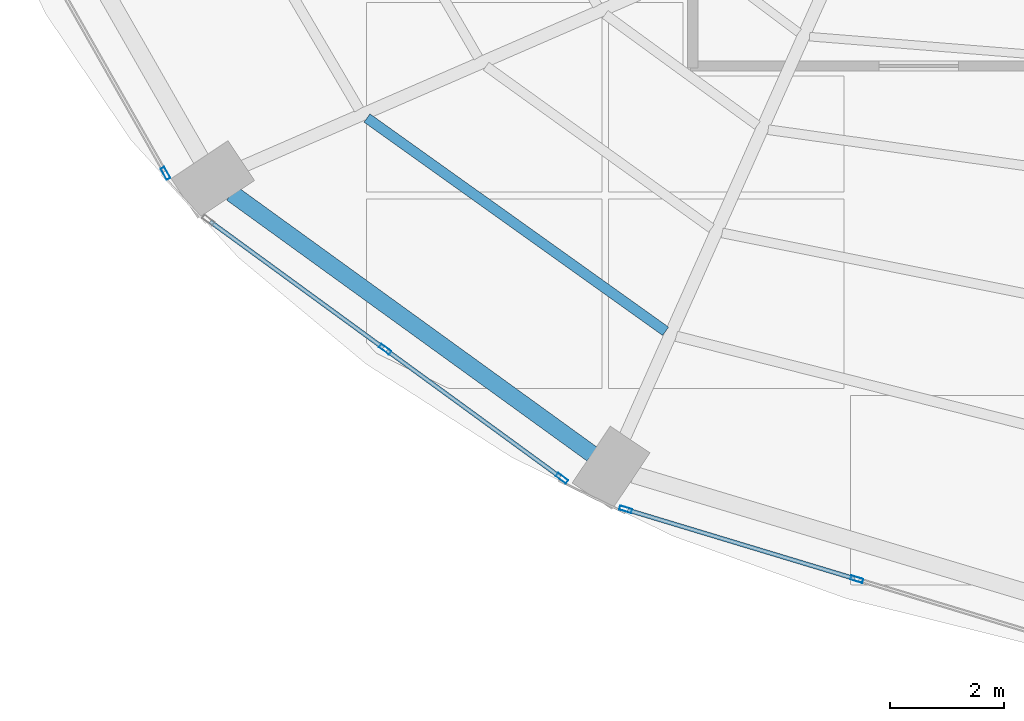
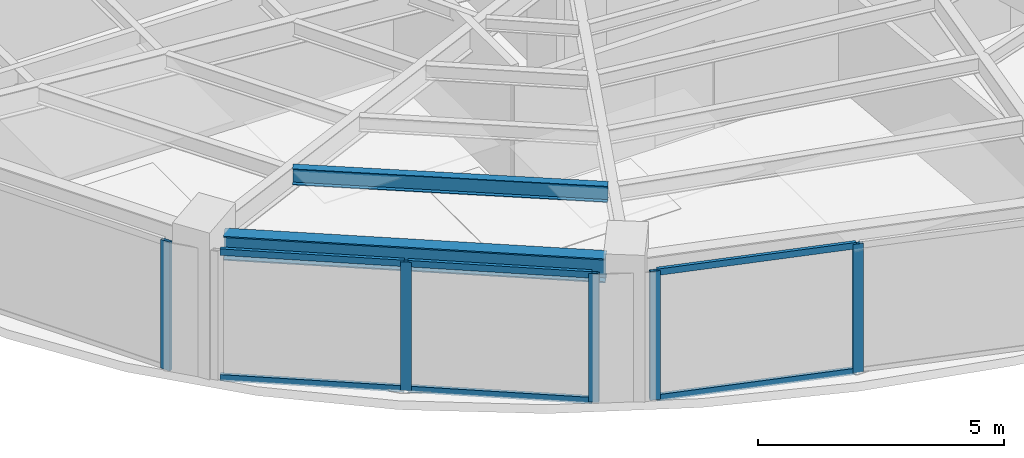
# One storey, part 2 of 24: 11 members, 2 beams, 3 elements without a shape of their own.
"""IFC4 building model written with IfcOpenShell, lengths in metres."""

from ifc_helpers import new_model, si_unit, direction, frame, origin, origin_2d, place, context, subcontext, project, spatial, hollow_rectangle, i_section, extrude, material, layer, layer_set, material_profile, profile_set, type_object, element, aggregate, save


model = new_model("IFC4")

# Units and contexts
model_context = context("Model", 3, precision=1e-05, world=origin(), true_north=direction((0.0, 1.0)))
body_context = subcontext(model_context, "Body", "Model", "MODEL_VIEW")
ifc_project = project(units=[si_unit("LENGTHUNIT", "METRE"), si_unit("AREAUNIT", "SQUARE_METRE"), si_unit("VOLUMEUNIT", "CUBIC_METRE"), si_unit("PLANEANGLEUNIT", "RADIAN"), si_unit("MASSUNIT", "GRAM", prefix="KILO")], contexts=[model_context])

# Site, building, storey
site_placement = place(None, origin())
site = spatial("IfcSite", under=ifc_project, at=site_placement, CompositionType="ELEMENT")
building_placement = place(site_placement, origin())
building = spatial("IfcBuilding", under=site, at=building_placement, Name="Lazwardi Medical Tower", CompositionType="ELEMENT")
storey_placement = place(building_placement, frame((0.0, 0.0, 129.16796875)))
storey = spatial("IfcBuildingStorey", under=building, at=storey_placement, Name="L33", CompositionType="ELEMENT", Elevation=129.16796875)

# Beams
ifc_material_1 = material(Name="Steel S355", Category="steel")
ifc_material_profile_1 = material_profile(ifc_material_1, i_section(OverallWidth=0.300048828125, OverallDepth=0.60009765625, WebThickness=0.015380859375, FlangeThickness=0.030029296875, at=origin_2d()), Name="HEB 600")
ifc_profile_set_1 = profile_set([ifc_material_profile_1], Name="Steel S355")
beam_type_1 = type_object("IfcBeamType", Name="BM-RB-Z2", PredefinedType="BEAM", material=ifc_profile_set_1)
beam_1_placement = place(storey_placement, frame((15.25439453125, 15.164794921875, 2.89794921875), z_axis=(0.81005674773, -0.586351486275, 0.0), x_axis=(0.586351486275, 0.81005674773, 0.0)))
element("IfcBeam", 1, at=beam_1_placement, inside=storey, type_object=beam_type_1, Name="Ring beam RB-03 B14 L33", PredefinedType="BEAM", context=body_context, shape_type="SweptSolid", body=[
    extrude(i_section(OverallWidth=0.300048828125, OverallDepth=0.60009765625, WebThickness=0.015380859375, FlangeThickness=0.030029296875, at=origin_2d()), origin(), (0.0, 0.0, 1.0), 7.81396484375),
])
ifc_material_profile_2 = material_profile(ifc_material_1, i_section(OverallWidth=0.179931640625, OverallDepth=0.39990234375, WebThickness=0.008544921875, FlangeThickness=0.013427734375, at=origin_2d()), Name="IPE 400")
ifc_profile_set_2 = profile_set([ifc_material_profile_2], Name="Steel S355")
beam_type_2 = type_object("IfcBeamType", Name="BM-SJ-01", PredefinedType="JOIST", material=ifc_profile_set_2)
beam_2_placement = place(storey_placement, frame((17.630615234375, 16.485595703125, 2.998046875), z_axis=(0.813748834317, -0.581216684763, 0.0), x_axis=(0.581216684763, 0.813748834317, 0.0)))
element("IfcBeam", 2, at=beam_2_placement, inside=storey, type_object=beam_type_2, Name="Secondary joist SJ-01 R1 B14 L33", PredefinedType="JOIST", context=body_context, shape_type="SweptSolid", body=[
    extrude(i_section(OverallWidth=0.179931640625, OverallDepth=0.39990234375, WebThickness=0.008544921875, FlangeThickness=0.013427734375, at=origin_2d()), origin(), (0.0, 0.0, 1.0), 6.4423828125),
])

# Curtain wall, member
ifc_material_2 = material(Name="Anodised bronze aluminium and solar control glazing", Category="aluminium")
ifc_layer = layer(ifc_material_2, 0.195068359375)
ifc_layer_set = layer_set([ifc_layer], Name="Anodised bronze aluminium and solar control glazing")
curtain_wall_type = type_object("IfcCurtainWallType", Name="CW-SYS-03", PredefinedType="NOTDEFINED", material=ifc_layer_set)
curtain_wall_1_placement = place(storey_placement, origin())
curtain_wall_1 = element("IfcCurtainWall", 3, at=curtain_wall_1_placement, inside=storey, type_object=curtain_wall_type, Name="L33 Unitised bronze curtain wall CW-03", PredefinedType="NOTDEFINED")
ifc_material_3 = material(Name="Anodised bronze aluminium", Category="aluminium")
ifc_material_profile_3 = material_profile(ifc_material_3, hollow_rectangle(XDim=0.074951171875, YDim=0.219970703125, WallThickness=0.00390625, at=origin_2d()), Name="ALU-MULLION 220x75x4")
ifc_profile_set_3 = profile_set([ifc_material_profile_3], Name="Anodised bronze aluminium")
member_type_1 = type_object("IfcMemberType", Name="CW-MUL-01", PredefinedType="MULLION", material=ifc_profile_set_3)
member_1_placement = place(storey_placement, frame((14.0927734375, 15.51416015625, 0.0), z_axis=(0.0, 0.0, 1.0), x_axis=(0.869687265712, 0.493603140041, 0.0)))
member_1 = element("IfcMember", 4, at=member_1_placement, type_object=member_type_1, Name="CW-03 mullion 2", PredefinedType="MULLION", context=body_context, shape_type="SweptSolid", body=[
    extrude(hollow_rectangle(XDim=0.074951171875, YDim=0.219970703125, WallThickness=0.00390625, at=origin_2d()), origin(), (0.0, 0.0, 1.0), 3.197998046875),
])
aggregate(curtain_wall_1, [member_1])

# Curtain wall, members
curtain_wall_2_placement = place(storey_placement, origin())
curtain_wall_2 = element("IfcCurtainWall", 5, at=curtain_wall_2_placement, inside=storey, type_object=curtain_wall_type, Name="L33 Unitised bronze curtain wall CW-03", PredefinedType="NOTDEFINED")
member_2_placement = place(storey_placement, frame((17.948974609375, 12.42578125, 0.0), z_axis=(0.0, 0.0, 1.0), x_axis=(0.589530882802, 0.807745837639, 0.0)))
member_2 = element("IfcMember", 6, at=member_2_placement, type_object=member_type_1, Name="CW-03 mullion 2", PredefinedType="MULLION", context=body_context, shape_type="SweptSolid", body=[
    extrude(hollow_rectangle(XDim=0.074951171875, YDim=0.219970703125, WallThickness=0.00390625, at=origin_2d()), origin(), (0.0, 0.0, 1.0), 3.197998046875),
])
member_3_placement = place(storey_placement, frame((21.052734375, 10.160400390625, 0.0), z_axis=(0.0, 0.0, 1.0), x_axis=(0.589530882802, 0.807745837639, 0.0)))
member_3 = element("IfcMember", 7, at=member_3_placement, type_object=member_type_1, Name="CW-03 mullion 3", PredefinedType="MULLION", context=body_context, shape_type="SweptSolid", body=[
    extrude(hollow_rectangle(XDim=0.074951171875, YDim=0.219970703125, WallThickness=0.00390625, at=origin_2d()), origin(), (0.0, 0.0, 1.0), 3.197998046875),
])

curtain_wall_3_placement = place(storey_placement, origin())
curtain_wall_3 = element("IfcCurtainWall", 8, at=curtain_wall_3_placement, inside=storey, type_object=curtain_wall_type, Name="L33 Unitised bronze curtain wall CW-03", PredefinedType="NOTDEFINED")
member_4_placement = place(storey_placement, frame((22.171630859375, 9.614013671875, 0.0), z_axis=(0.0, 0.0, 1.0), x_axis=(0.28937381157, 0.957216170558, 0.0)))
member_4 = element("IfcMember", 9, at=member_4_placement, type_object=member_type_1, Name="CW-03 mullion 1", PredefinedType="MULLION", context=body_context, shape_type="SweptSolid", body=[
    extrude(hollow_rectangle(XDim=0.074951171875, YDim=0.219970703125, WallThickness=0.00390625, at=origin_2d()), origin(), (0.0, 0.0, 1.0), 3.197998046875),
])
member_5_placement = place(storey_placement, frame((26.230712890625, 8.386962890625, 0.0), z_axis=(0.0, 0.0, 1.0), x_axis=(0.28937381157, 0.957216170558, 0.0)))
member_5 = element("IfcMember", 10, at=member_5_placement, type_object=member_type_1, Name="CW-03 mullion 2", PredefinedType="MULLION", context=body_context, shape_type="SweptSolid", body=[
    extrude(hollow_rectangle(XDim=0.074951171875, YDim=0.219970703125, WallThickness=0.00390625, at=origin_2d()), origin(), (0.0, 0.0, 1.0), 3.197998046875),
])

# Member
ifc_material_profile_4 = material_profile(ifc_material_3, hollow_rectangle(XDim=0.074951171875, YDim=0.159912109375, WallThickness=0.00390625, at=origin_2d()), Name="ALU-TRANSOM 160x75x4")
ifc_profile_set_4 = profile_set([ifc_material_profile_4], Name="Anodised bronze aluminium")
member_type_2 = type_object("IfcMemberType", Name="CW-TRN-01", PredefinedType="USERDEFINED", material=ifc_profile_set_4)
member_6_placement = place(storey_placement, frame((14.87548828125, 14.6689453125, 0.03759765625), z_axis=(0.807731734271, -0.589550206049, 0.0), x_axis=(0.589550206049, 0.807731734271, 0.0)))
member_6 = element("IfcMember", 11, at=member_6_placement, type_object=member_type_2, Name="CW-03 transom 1.1", ObjectType="TRANSOM", PredefinedType="USERDEFINED", context=body_context, shape_type="SweptSolid", body=[
    extrude(hollow_rectangle(XDim=0.074951171875, YDim=0.159912109375, WallThickness=0.00390625, at=origin_2d()), origin(), (0.0, 0.0, 1.0), 3.767578125),
])

member_7_placement = place(storey_placement, frame((14.87548828125, 14.6689453125, 3.16064453125), z_axis=(0.807731734271, -0.589550206049, 0.0), x_axis=(0.589550206049, 0.807731734271, 0.0)))
member_7 = element("IfcMember", 12, at=member_7_placement, type_object=member_type_2, Name="CW-03 transom 1.2", ObjectType="TRANSOM", PredefinedType="USERDEFINED", context=body_context, shape_type="SweptSolid", body=[
    extrude(hollow_rectangle(XDim=0.074951171875, YDim=0.159912109375, WallThickness=0.00390625, at=origin_2d()), origin(), (0.0, 0.0, 1.0), 3.767578125),
])

member_8_placement = place(storey_placement, frame((17.979248046875, 12.403564453125, 0.03759765625), z_axis=(0.80776259199, -0.58950792614, 0.0), x_axis=(0.58950792614, 0.80776259199, 0.0)))
member_8 = element("IfcMember", 13, at=member_8_placement, type_object=member_type_2, Name="CW-03 transom 2.1", ObjectType="TRANSOM", PredefinedType="USERDEFINED", context=body_context, shape_type="SweptSolid", body=[
    extrude(hollow_rectangle(XDim=0.074951171875, YDim=0.159912109375, WallThickness=0.00390625, at=origin_2d()), origin(), (0.0, 0.0, 1.0), 3.767578125),
])

member_9_placement = place(storey_placement, frame((17.979248046875, 12.403564453125, 3.16064453125), z_axis=(0.80776259199, -0.58950792614, 0.0), x_axis=(0.58950792614, 0.80776259199, 0.0)))
member_9 = element("IfcMember", 14, at=member_9_placement, type_object=member_type_2, Name="CW-03 transom 2.2", ObjectType="TRANSOM", PredefinedType="USERDEFINED", context=body_context, shape_type="SweptSolid", body=[
    extrude(hollow_rectangle(XDim=0.074951171875, YDim=0.159912109375, WallThickness=0.00390625, at=origin_2d()), origin(), (0.0, 0.0, 1.0), 3.767578125),
])

aggregate(curtain_wall_2, [member_2, member_3, member_6, member_7, member_8, member_9])

member_10_placement = place(storey_placement, frame((22.20751953125, 9.603271484375, 0.03759765625), z_axis=(0.957204630929, -0.289411980623, 0.0), x_axis=(0.289411980623, 0.957204630929, 0.0)))
member_10 = element("IfcMember", 15, at=member_10_placement, type_object=member_type_2, Name="CW-03 transom 1.1", ObjectType="TRANSOM", PredefinedType="USERDEFINED", context=body_context, shape_type="SweptSolid", body=[
    extrude(hollow_rectangle(XDim=0.074951171875, YDim=0.159912109375, WallThickness=0.00390625, at=origin_2d()), origin(), (0.0, 0.0, 1.0), 4.16552734375),
])

member_11_placement = place(storey_placement, frame((22.20751953125, 9.603271484375, 3.16064453125), z_axis=(0.957204630929, -0.289411980623, 0.0), x_axis=(0.289411980623, 0.957204630929, 0.0)))
member_11 = element("IfcMember", 16, at=member_11_placement, type_object=member_type_2, Name="CW-03 transom 1.2", ObjectType="TRANSOM", PredefinedType="USERDEFINED", context=body_context, shape_type="SweptSolid", body=[
    extrude(hollow_rectangle(XDim=0.074951171875, YDim=0.159912109375, WallThickness=0.00390625, at=origin_2d()), origin(), (0.0, 0.0, 1.0), 4.16552734375),
])

aggregate(curtain_wall_3, [member_4, member_5, member_10, member_11])

save(model, "model.ifc")
